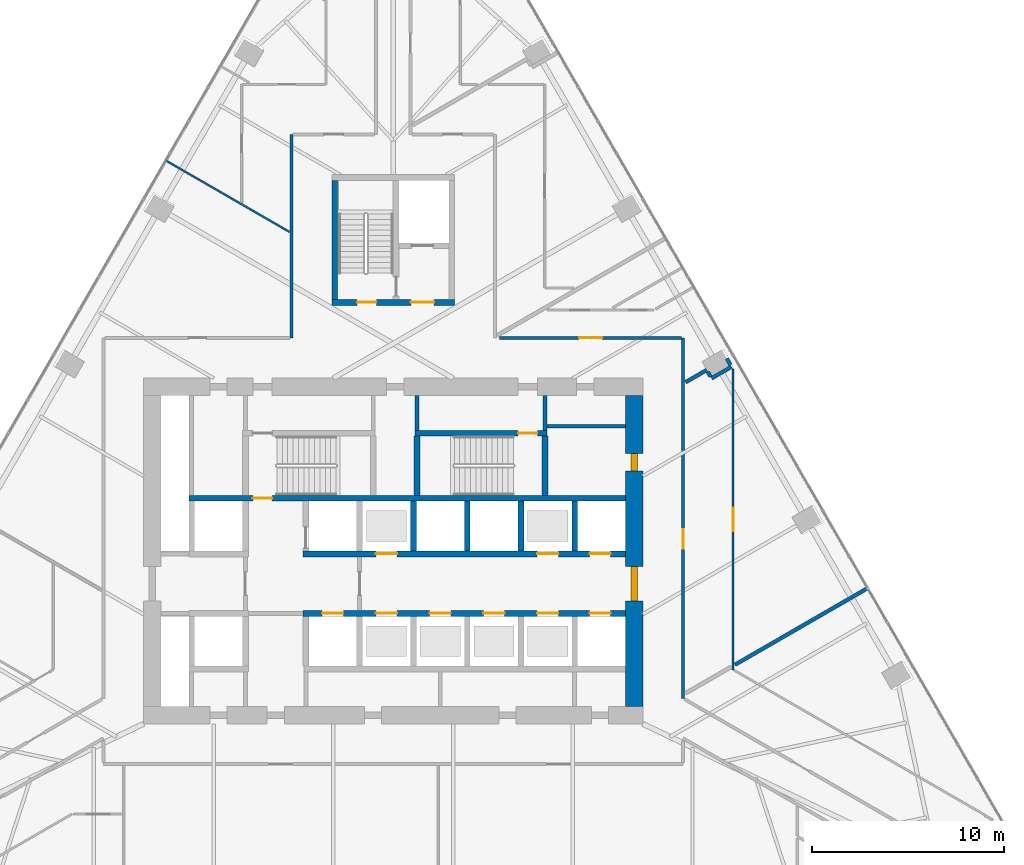
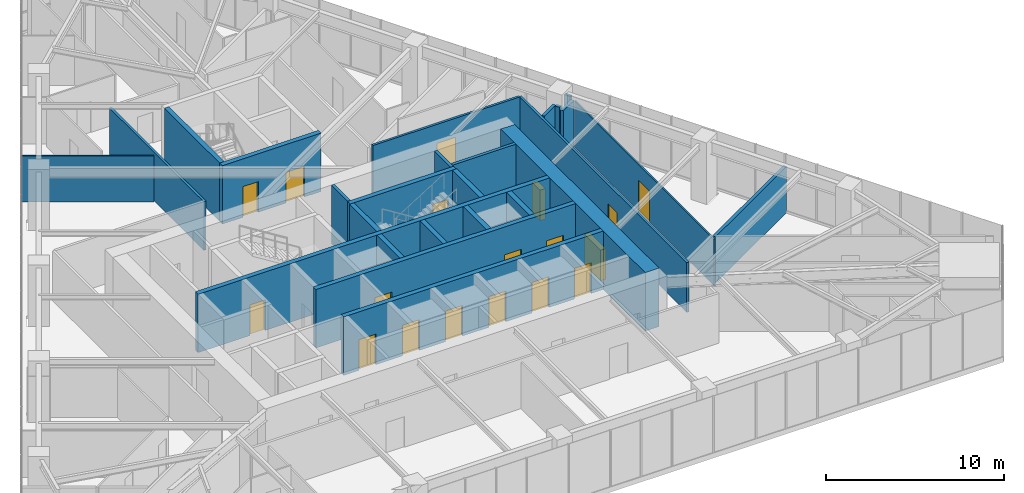
# One storey, part 15 of 19: 26 walls, 18 doors, 18 openings.
"""IFC4 building model written with IfcOpenShell, lengths in metres."""

from ifc_helpers import new_model, si_unit, direction, frame, frame_2d, origin, place, context, subcontext, project, spatial, rectangle, extrude, material, layer, layer_set, type_object, element, fill, save


model = new_model("IFC4")

# Units and contexts
model_context = context("Model", 3, precision=1e-05, world=origin(), true_north=direction((0.0, 1.0)))
body_context = subcontext(model_context, "Body", "Model", "MODEL_VIEW")
ifc_project = project(units=[si_unit("LENGTHUNIT", "METRE"), si_unit("AREAUNIT", "SQUARE_METRE"), si_unit("VOLUMEUNIT", "CUBIC_METRE"), si_unit("PLANEANGLEUNIT", "RADIAN"), si_unit("MASSUNIT", "GRAM", prefix="KILO")], contexts=[model_context])

# Site, building, storey
site_placement = place(None, origin())
site = spatial("IfcSite", under=ifc_project, at=site_placement, CompositionType="ELEMENT")
building_placement = place(site_placement, origin())
building = spatial("IfcBuilding", under=site, at=building_placement, Name="Firuza Gate Tower and Library", CompositionType="ELEMENT")
storey_placement = place(building_placement, frame((0.0, 0.0, 103.0)))
storey = spatial("IfcBuildingStorey", under=building, at=storey_placement, Name="L23", CompositionType="ELEMENT", Elevation=103.0)

# Walls
ifc_material_1 = material(Name="Plasterboard on steel studs", Category="steel")
ifc_layer_1 = layer(ifc_material_1, 0.199951171875)
ifc_layer_set_1 = layer_set([ifc_layer_1], Name="Core partition 200 EI 60")
wall_type_1 = type_object("IfcWallType", Name="Core partition 200 EI 60", PredefinedType="PARTITIONING", material=ifc_layer_set_1)
wall_1_placement = place(storey_placement, frame((83.0, 81.4951171875, 0.0), z_axis=(0.0, 0.0, 1.0), x_axis=(1.0, 0.0, 0.0)))
element("IfcWall", 1, at=wall_1_placement, inside=storey, type_object=wall_type_1, Name="Core partition L23 4", PredefinedType="PARTITIONING", context=body_context, shape_type="SweptSolid", body=[
    extrude(rectangle(XDim=4.10009765625, YDim=0.199951171875, at=frame_2d((2.050048828125, 0.0))), origin(), (0.0, 0.0, 1.0), 4.0),
])
for number, where, z_axis, x_axis, name in (
    (2, (76.239990234375, 81.280029296875, 0.0), (0.0, 0.0, 1.0), (0.0, 1.0, 0.0), "Core partition L23 13"),
    (3, (82.89990234375, 81.280029296875, 0.0), (0.0, 0.0, 1.0), (0.0, 1.0, 0.0), "Core partition L23 15"),
):
    element("IfcWall", number, at=place(storey_placement, frame(where, z_axis=z_axis, x_axis=x_axis)), inside=storey, type_object=wall_type_1, Name=name, PredefinedType="PARTITIONING", context=body_context, shape_type="SweptSolid", body=[
        extrude(rectangle(XDim=1.820068359375, YDim=0.199951171875, at=frame_2d((0.91015625, 0.0))), origin(), (0.0, 0.0, 1.0), 4.0),
    ])

# Wall, openings, doors
ifc_material_2 = material(Name="Concrete C80/95", Category="concrete")
ifc_layer_2 = layer(ifc_material_2, 0.300048828125)
ifc_layer_set_2 = layer_set([ifc_layer_2], Name="Core wall 300 C80/95")
wall_type_2 = type_object("IfcWallType", Name="Core wall 300 C80/95", PredefinedType="SHEAR", material=ifc_layer_set_2)
wall_2_placement = place(storey_placement, frame((70.300048828125, 71.75, 0.0), z_axis=(0.0, 0.0, 1.0), x_axis=(1.0, 0.0, 0.0)))
wall_2 = element("IfcWall", 4, at=wall_2_placement, inside=storey, type_object=wall_type_2, Name="Core wall L23 8", PredefinedType="SHEAR", context=body_context, shape_type="SweptSolid", body=[
    extrude(rectangle(XDim=16.800048828125, YDim=0.300048828125, at=frame_2d((8.39990234375, 0.0))), origin(), (0.0, 0.0, 1.0), 4.0),
])
opening_1_placement = place(wall_2_placement, frame((1.0, 0.0, 0.0)))
opening_1 = element("IfcOpeningElement", 5, at=opening_1_placement, cuts=wall_2, Name="Opening LD-FF1-L23", PredefinedType="OPENING", context=body_context, shape_type="SweptSolid", body=[
    extrude(rectangle(XDim=1.10009765625, YDim=2.10009765625, at=frame_2d((0.550048828125, 1.050048828125))), frame((0.0, 0.16015625, 0.0), z_axis=(0.0, -1.0, 0.0), x_axis=(1.0, 0.0, 0.0)), (0.0, 0.0, 1.0), 0.320068359375),
])
opening_2_placement = place(wall_2_placement, frame((3.800048828125, 0.0, 0.0)))
opening_2 = element("IfcOpeningElement", 6, at=opening_2_placement, cuts=wall_2, Name="Opening LD-LR1-L23", PredefinedType="OPENING", context=body_context, shape_type="SweptSolid", body=[
    extrude(rectangle(XDim=1.10009765625, YDim=2.10009765625, at=frame_2d((0.550048828125, 1.050048828125))), frame((0.0, 0.16015625, 0.0), z_axis=(0.0, -1.0, 0.0), x_axis=(1.0, 0.0, 0.0)), (0.0, 0.0, 1.0), 0.320068359375),
])
opening_3_placement = place(wall_2_placement, frame((6.60009765625, 0.0, 0.0)))
opening_3 = element("IfcOpeningElement", 7, at=opening_3_placement, cuts=wall_2, Name="Opening LD-LR2-L23", PredefinedType="OPENING", context=body_context, shape_type="SweptSolid", body=[
    extrude(rectangle(XDim=1.10009765625, YDim=2.10009765625, at=frame_2d((0.550048828125, 1.050048828125))), frame((0.0, 0.16015625, 0.0), z_axis=(0.0, -1.0, 0.0), x_axis=(1.0, 0.0, 0.0)), (0.0, 0.0, 1.0), 0.320068359375),
])
opening_4_placement = place(wall_2_placement, frame((9.39990234375, 0.0, 0.0)))
opening_4 = element("IfcOpeningElement", 8, at=opening_4_placement, cuts=wall_2, Name="Opening LD-LR3-L23", PredefinedType="OPENING", context=body_context, shape_type="SweptSolid", body=[
    extrude(rectangle(XDim=1.10009765625, YDim=2.10009765625, at=frame_2d((0.550048828125, 1.050048828125))), frame((0.0, 0.16015625, 0.0), z_axis=(0.0, -1.0, 0.0), x_axis=(1.0, 0.0, 0.0)), (0.0, 0.0, 1.0), 0.320068359375),
])
opening_5_placement = place(wall_2_placement, frame((12.199951171875, 0.0, 0.0)))
opening_5 = element("IfcOpeningElement", 9, at=opening_5_placement, cuts=wall_2, Name="Opening LD-LR5-L23", PredefinedType="OPENING", context=body_context, shape_type="SweptSolid", body=[
    extrude(rectangle(XDim=1.10009765625, YDim=2.10009765625, at=frame_2d((0.550048828125, 1.050048828125))), frame((0.0, 0.16015625, 0.0), z_axis=(0.0, -1.0, 0.0), x_axis=(1.0, 0.0, 0.0)), (0.0, 0.0, 1.0), 0.320068359375),
])
opening_6_placement = place(wall_2_placement, frame((14.925048828125, 0.0, 0.0)))
opening_6 = element("IfcOpeningElement", 10, at=opening_6_placement, cuts=wall_2, Name="Opening LD-LR7-L23", PredefinedType="OPENING", context=body_context, shape_type="SweptSolid", body=[
    extrude(rectangle(XDim=1.10009765625, YDim=2.10009765625, at=frame_2d((0.550048828125, 1.050048828125))), frame((0.0, 0.16015625, 0.0), z_axis=(0.0, -1.0, 0.0), x_axis=(1.0, 0.0, 0.0)), (0.0, 0.0, 1.0), 0.320068359375),
])
ifc_material_3 = material(Name="Stainless steel", Category="steel")
door_type_1 = type_object("IfcDoorType", Name="Lift landing door 1100x2100", OperationType="DOUBLE_DOOR_SLIDING", PredefinedType="DOOR", material=ifc_material_3)
door_1_placement = place(opening_1_placement, origin())
door_1 = element("IfcDoor", 11, at=door_1_placement, inside=storey, type_object=door_type_1, Name="Landing door FF1 L23", OperationType="DOUBLE_DOOR_SLIDING", OverallHeight=2.10009765625, OverallWidth=1.10009765625, PredefinedType="DOOR", context=body_context, shape_type="SweptSolid", body=[
    extrude(rectangle(XDim=1.10009765625, YDim=2.10009765625, at=frame_2d((0.550048828125, 1.050048828125))), frame((0.0, 0.02490234375, 0.0), z_axis=(0.0, -1.0, 0.0), x_axis=(1.0, 0.0, 0.0)), (0.0, 0.0, 1.0), 0.050048828125),
])
fill(opening_1, door_1)
door_2_placement = place(opening_2_placement, origin())
door_2 = element("IfcDoor", 12, at=door_2_placement, inside=storey, type_object=door_type_1, Name="Landing door LR1 L23", OperationType="DOUBLE_DOOR_SLIDING", OverallHeight=2.10009765625, OverallWidth=1.10009765625, PredefinedType="DOOR", context=body_context, shape_type="SweptSolid", body=[
    extrude(rectangle(XDim=1.10009765625, YDim=2.10009765625, at=frame_2d((0.550048828125, 1.050048828125))), frame((0.0, 0.02490234375, 0.0), z_axis=(0.0, -1.0, 0.0), x_axis=(1.0, 0.0, 0.0)), (0.0, 0.0, 1.0), 0.050048828125),
])
fill(opening_2, door_2)
door_3_placement = place(opening_3_placement, origin())
door_3 = element("IfcDoor", 13, at=door_3_placement, inside=storey, type_object=door_type_1, Name="Landing door LR2 L23", OperationType="DOUBLE_DOOR_SLIDING", OverallHeight=2.10009765625, OverallWidth=1.10009765625, PredefinedType="DOOR", context=body_context, shape_type="SweptSolid", body=[
    extrude(rectangle(XDim=1.10009765625, YDim=2.10009765625, at=frame_2d((0.550048828125, 1.050048828125))), frame((0.0, 0.02490234375, 0.0), z_axis=(0.0, -1.0, 0.0), x_axis=(1.0, 0.0, 0.0)), (0.0, 0.0, 1.0), 0.050048828125),
])
fill(opening_3, door_3)
door_4_placement = place(opening_4_placement, origin())
door_4 = element("IfcDoor", 14, at=door_4_placement, inside=storey, type_object=door_type_1, Name="Landing door LR3 L23", OperationType="DOUBLE_DOOR_SLIDING", OverallHeight=2.10009765625, OverallWidth=1.10009765625, PredefinedType="DOOR", context=body_context, shape_type="SweptSolid", body=[
    extrude(rectangle(XDim=1.10009765625, YDim=2.10009765625, at=frame_2d((0.550048828125, 1.050048828125))), frame((0.0, 0.02490234375, 0.0), z_axis=(0.0, -1.0, 0.0), x_axis=(1.0, 0.0, 0.0)), (0.0, 0.0, 1.0), 0.050048828125),
])
fill(opening_4, door_4)
door_5_placement = place(opening_5_placement, origin())
door_5 = element("IfcDoor", 15, at=door_5_placement, inside=storey, type_object=door_type_1, Name="Landing door LR5 L23", OperationType="DOUBLE_DOOR_SLIDING", OverallHeight=2.10009765625, OverallWidth=1.10009765625, PredefinedType="DOOR", context=body_context, shape_type="SweptSolid", body=[
    extrude(rectangle(XDim=1.10009765625, YDim=2.10009765625, at=frame_2d((0.550048828125, 1.050048828125))), frame((0.0, 0.02490234375, 0.0), z_axis=(0.0, -1.0, 0.0), x_axis=(1.0, 0.0, 0.0)), (0.0, 0.0, 1.0), 0.050048828125),
])
fill(opening_5, door_5)
door_6_placement = place(opening_6_placement, origin())
door_6 = element("IfcDoor", 16, at=door_6_placement, inside=storey, type_object=door_type_1, Name="Landing door LR7 L23", OperationType="DOUBLE_DOOR_SLIDING", OverallHeight=2.10009765625, OverallWidth=1.10009765625, PredefinedType="DOOR", context=body_context, shape_type="SweptSolid", body=[
    extrude(rectangle(XDim=1.10009765625, YDim=2.10009765625, at=frame_2d((0.550048828125, 1.050048828125))), frame((0.0, 0.02490234375, 0.0), z_axis=(0.0, -1.0, 0.0), x_axis=(1.0, 0.0, 0.0)), (0.0, 0.0, 1.0), 0.050048828125),
])
fill(opening_6, door_6)

wall_3_placement = place(storey_placement, frame((70.300048828125, 74.85009765625, 0.0), z_axis=(0.0, 0.0, 1.0), x_axis=(1.0, 0.0, 0.0)))
wall_3 = element("IfcWall", 17, at=wall_3_placement, inside=storey, type_object=wall_type_2, Name="Core wall L23 10", PredefinedType="SHEAR", context=body_context, shape_type="SweptSolid", body=[
    extrude(rectangle(XDim=16.800048828125, YDim=0.300048828125, at=frame_2d((8.39990234375, 0.0))), origin(), (0.0, 0.0, 1.0), 4.0),
])
opening_7_placement = place(wall_3_placement, frame((3.800048828125, 0.0, 0.0)))
opening_7 = element("IfcOpeningElement", 18, at=opening_7_placement, cuts=wall_3, Name="Opening LD-LR4-L23", PredefinedType="OPENING", context=body_context, shape_type="SweptSolid", body=[
    extrude(rectangle(XDim=1.10009765625, YDim=2.10009765625, at=frame_2d((0.550048828125, 1.050048828125))), frame((0.0, 0.16015625, 0.0), z_axis=(0.0, -1.0, 0.0), x_axis=(1.0, 0.0, 0.0)), (0.0, 0.0, 1.0), 0.320068359375),
])
opening_8_placement = place(wall_3_placement, frame((12.199951171875, 0.0, 0.0)))
opening_8 = element("IfcOpeningElement", 19, at=opening_8_placement, cuts=wall_3, Name="Opening LD-LR6-L23", PredefinedType="OPENING", context=body_context, shape_type="SweptSolid", body=[
    extrude(rectangle(XDim=1.10009765625, YDim=2.10009765625, at=frame_2d((0.550048828125, 1.050048828125))), frame((0.0, 0.16015625, 0.0), z_axis=(0.0, -1.0, 0.0), x_axis=(1.0, 0.0, 0.0)), (0.0, 0.0, 1.0), 0.320068359375),
])
opening_9_placement = place(wall_3_placement, frame((14.925048828125, 0.0, 0.0)))
opening_9 = element("IfcOpeningElement", 20, at=opening_9_placement, cuts=wall_3, Name="Opening LD-LR8-L23", PredefinedType="OPENING", context=body_context, shape_type="SweptSolid", body=[
    extrude(rectangle(XDim=1.10009765625, YDim=2.10009765625, at=frame_2d((0.550048828125, 1.050048828125))), frame((0.0, 0.16015625, 0.0), z_axis=(0.0, -1.0, 0.0), x_axis=(1.0, 0.0, 0.0)), (0.0, 0.0, 1.0), 0.320068359375),
])
door_7_placement = place(opening_7_placement, origin())
door_7 = element("IfcDoor", 21, at=door_7_placement, inside=storey, type_object=door_type_1, Name="Landing door LR4 L23", OperationType="DOUBLE_DOOR_SLIDING", OverallHeight=2.10009765625, OverallWidth=1.10009765625, PredefinedType="DOOR", context=body_context, shape_type="SweptSolid", body=[
    extrude(rectangle(XDim=1.10009765625, YDim=2.10009765625, at=frame_2d((0.550048828125, 1.050048828125))), frame((0.0, 0.02490234375, 0.0), z_axis=(0.0, -1.0, 0.0), x_axis=(1.0, 0.0, 0.0)), (0.0, 0.0, 1.0), 0.050048828125),
])
fill(opening_7, door_7)
door_8_placement = place(opening_8_placement, origin())
door_8 = element("IfcDoor", 22, at=door_8_placement, inside=storey, type_object=door_type_1, Name="Landing door LR6 L23", OperationType="DOUBLE_DOOR_SLIDING", OverallHeight=2.10009765625, OverallWidth=1.10009765625, PredefinedType="DOOR", context=body_context, shape_type="SweptSolid", body=[
    extrude(rectangle(XDim=1.10009765625, YDim=2.10009765625, at=frame_2d((0.550048828125, 1.050048828125))), frame((0.0, 0.02490234375, 0.0), z_axis=(0.0, -1.0, 0.0), x_axis=(1.0, 0.0, 0.0)), (0.0, 0.0, 1.0), 0.050048828125),
])
fill(opening_8, door_8)
door_9_placement = place(opening_9_placement, origin())
door_9 = element("IfcDoor", 23, at=door_9_placement, inside=storey, type_object=door_type_1, Name="Landing door LR8 L23", OperationType="DOUBLE_DOOR_SLIDING", OverallHeight=2.10009765625, OverallWidth=1.10009765625, PredefinedType="DOOR", context=body_context, shape_type="SweptSolid", body=[
    extrude(rectangle(XDim=1.10009765625, YDim=2.10009765625, at=frame_2d((0.550048828125, 1.050048828125))), frame((0.0, 0.02490234375, 0.0), z_axis=(0.0, -1.0, 0.0), x_axis=(1.0, 0.0, 0.0)), (0.0, 0.0, 1.0), 0.050048828125),
])
fill(opening_9, door_9)

# Walls
for number, where, z_axis, x_axis, name in (
    (24, (76.050048828125, 75.0, 0.0), (0.0, 0.0, 1.0), (0.0, 1.0, 0.0), "Core wall L23 20"),
    (25, (78.85009765625, 75.0, 0.0), (0.0, 0.0, 1.0), (0.0, 1.0, 0.0), "Core wall L23 22"),
    (26, (81.64990234375, 75.0, 0.0), (0.0, 0.0, 1.0), (0.0, 1.0, 0.0), "Core wall L23 24"),
    (27, (84.449951171875, 75.0, 0.0), (0.0, 0.0, 1.0), (0.0, 1.0, 0.0), "Core wall L23 26"),
):
    element("IfcWall", number, at=place(storey_placement, frame(where, z_axis=z_axis, x_axis=x_axis)), inside=storey, type_object=wall_type_2, Name=name, PredefinedType="SHEAR", context=body_context, shape_type="SweptSolid", body=[
        extrude(rectangle(XDim=2.60009765625, YDim=0.300048828125, at=frame_2d((1.300048828125, 0.0))), origin(), (0.0, 0.0, 1.0), 4.0),
    ])

# Wall, opening, door
wall_4_placement = place(storey_placement, frame((64.35009765625, 77.75, 0.0), z_axis=(0.0, 0.0, 1.0), x_axis=(1.0, 0.0, 0.0)))
wall_4 = element("IfcWall", 28, at=wall_4_placement, inside=storey, type_object=wall_type_2, Name="Core wall L23 27", PredefinedType="SHEAR", context=body_context, shape_type="SweptSolid", body=[
    extrude(rectangle(XDim=22.75, YDim=0.300048828125, at=frame_2d((11.375, 0.0))), origin(), (0.0, 0.0, 1.0), 4.0),
])
opening_10_placement = place(wall_4_placement, frame((3.344970703125, 0.0, 0.0)))
opening_10 = element("IfcOpeningElement", 29, at=opening_10_placement, cuts=wall_4, Name="Opening L23-K12", PredefinedType="OPENING", context=body_context, shape_type="SweptSolid", body=[
    extrude(rectangle(XDim=1.0, YDim=2.10009765625, at=frame_2d((0.5, 1.050048828125))), frame((0.0, 0.16015625, 0.0), z_axis=(0.0, -1.0, 0.0), x_axis=(1.0, 0.0, 0.0)), (0.0, 0.0, 1.0), 0.320068359375),
])
ifc_material_4 = material(Name="Steel", Category="steel")
door_type_2 = type_object("IfcDoorType", Name="Fire door 1000x2100 FD90", OperationType="NOTDEFINED", PredefinedType="DOOR", material=ifc_material_4)
door_10_placement = place(opening_10_placement, origin())
door_10 = element("IfcDoor", 30, at=door_10_placement, inside=storey, type_object=door_type_2, Name="Door L23-K12", OperationType="SINGLE_SWING_LEFT", OverallHeight=2.10009765625, OverallWidth=1.0, PredefinedType="DOOR", context=body_context, shape_type="SweptSolid", body=[
    extrude(rectangle(XDim=1.0, YDim=2.10009765625, at=frame_2d((0.5, 1.050048828125))), frame((0.0, 0.02490234375, 0.0), z_axis=(0.0, -1.0, 0.0), x_axis=(1.0, 0.0, 0.0)), (0.0, 0.0, 1.0), 0.050048828125),
])
fill(opening_10, door_10)

wall_5_placement = place(storey_placement, frame((76.139892578125, 81.1298828125, 0.0), z_axis=(0.0, 0.0, 1.0), x_axis=(1.0, 0.0, 0.0)))
wall_5 = element("IfcWall", 31, at=wall_5_placement, inside=storey, type_object=wall_type_2, Name="Core wall L23 29", PredefinedType="SHEAR", context=body_context, shape_type="SweptSolid", body=[
    extrude(rectangle(XDim=6.860107421875, YDim=0.300048828125, at=frame_2d((3.43017578125, 0.0))), origin(), (0.0, 0.0, 1.0), 4.0),
])
opening_11_placement = place(wall_5_placement, frame((5.364990234375, 0.0, 0.0)))
opening_11 = element("IfcOpeningElement", 32, at=opening_11_placement, cuts=wall_5, Name="Opening L23-K15", PredefinedType="OPENING", context=body_context, shape_type="SweptSolid", body=[
    extrude(rectangle(XDim=1.0, YDim=2.10009765625, at=frame_2d((0.5, 1.050048828125))), frame((0.0, 0.16015625, 0.0), z_axis=(0.0, -1.0, 0.0), x_axis=(1.0, 0.0, 0.0)), (0.0, 0.0, 1.0), 0.320068359375),
])
door_11_placement = place(opening_11_placement, origin())
door_11 = element("IfcDoor", 33, at=door_11_placement, inside=storey, type_object=door_type_2, Name="Door L23-K15", OperationType="SINGLE_SWING_RIGHT", OverallHeight=2.10009765625, OverallWidth=1.0, PredefinedType="DOOR", context=body_context, shape_type="SweptSolid", body=[
    extrude(rectangle(XDim=1.0, YDim=2.10009765625, at=frame_2d((0.5, 1.050048828125))), frame((0.0, 0.02490234375, 0.0), z_axis=(0.0, -1.0, 0.0), x_axis=(1.0, 0.0, 0.0)), (0.0, 0.0, 1.0), 0.050048828125),
])
fill(opening_11, door_11)

# Walls
for number, where, z_axis, x_axis, name in (
    (34, (76.239990234375, 77.89990234375, 0.0), (0.0, 0.0, 1.0), (0.0, 1.0, 0.0), "Core wall L23 32"),
    (35, (82.89990234375, 77.89990234375, 0.0), (0.0, 0.0, 1.0), (0.0, 1.0, 0.0), "Core wall L23 33"),
):
    element("IfcWall", number, at=place(storey_placement, frame(where, z_axis=z_axis, x_axis=x_axis)), inside=storey, type_object=wall_type_2, Name=name, PredefinedType="SHEAR", context=body_context, shape_type="SweptSolid", body=[
        extrude(rectangle(XDim=3.080078125, YDim=0.300048828125, at=frame_2d((1.5400390625, 0.0))), origin(), (0.0, 0.0, 1.0), 4.0),
    ])

# Wall, openings, doors
wall_6_placement = place(storey_placement, frame((71.800048828125, 87.949951171875, 0.0), z_axis=(0.0, 0.0, 1.0), x_axis=(1.0, 0.0, 0.0)))
wall_6 = element("IfcWall", 36, at=wall_6_placement, inside=storey, type_object=wall_type_2, Name="Core wall L23 34", PredefinedType="SHEAR", context=body_context, shape_type="SweptSolid", body=[
    extrude(rectangle(XDim=6.39990234375, YDim=0.300048828125, at=frame_2d((3.199951171875, 0.0))), origin(), (0.0, 0.0, 1.0), 4.0),
])
opening_12_placement = place(wall_6_placement, frame((1.324951171875, 0.0, 0.0)))
opening_12 = element("IfcOpeningElement", 37, at=opening_12_placement, cuts=wall_6, Name="Opening L23-K17", PredefinedType="OPENING", context=body_context, shape_type="SweptSolid", body=[
    extrude(rectangle(XDim=1.0, YDim=2.10009765625, at=frame_2d((0.5, 1.050048828125))), frame((0.0, 0.16015625, 0.0), z_axis=(0.0, -1.0, 0.0), x_axis=(1.0, 0.0, 0.0)), (0.0, 0.0, 1.0), 0.320068359375),
])
opening_13_placement = place(wall_6_placement, frame((4.125, 0.0, 0.0)))
opening_13 = element("IfcOpeningElement", 38, at=opening_13_placement, cuts=wall_6, Name="Opening L23-K19", PredefinedType="OPENING", context=body_context, shape_type="SweptSolid", body=[
    extrude(rectangle(XDim=1.199951171875, YDim=2.10009765625, at=frame_2d((0.60009765625, 1.050048828125))), frame((0.0, 0.16015625, 0.0), z_axis=(0.0, -1.0, 0.0), x_axis=(1.0, 0.0, 0.0)), (0.0, 0.0, 1.0), 0.320068359375),
])
door_12_placement = place(opening_12_placement, origin())
door_12 = element("IfcDoor", 39, at=door_12_placement, inside=storey, type_object=door_type_2, Name="Door L23-K17", OperationType="SINGLE_SWING_RIGHT", OverallHeight=2.10009765625, OverallWidth=1.0, PredefinedType="DOOR", context=body_context, shape_type="SweptSolid", body=[
    extrude(rectangle(XDim=1.0, YDim=2.10009765625, at=frame_2d((0.5, 1.050048828125))), frame((0.0, 0.02490234375, 0.0), z_axis=(0.0, -1.0, 0.0), x_axis=(1.0, 0.0, 0.0)), (0.0, 0.0, 1.0), 0.050048828125),
])
fill(opening_12, door_12)
ifc_material_5 = material(Name="Steel", Category="steel")
door_type_3 = type_object("IfcDoorType", Name="Fire door 1200x2100 FD30S", OperationType="NOTDEFINED", PredefinedType="DOOR", material=ifc_material_5)
door_13_placement = place(opening_13_placement, origin())
door_13 = element("IfcDoor", 40, at=door_13_placement, inside=storey, type_object=door_type_3, Name="Door L23-K19", OperationType="SINGLE_SWING_RIGHT", OverallHeight=2.10009765625, OverallWidth=1.199951171875, PredefinedType="DOOR", context=body_context, shape_type="SweptSolid", body=[
    extrude(rectangle(XDim=1.199951171875, YDim=2.10009765625, at=frame_2d((0.60009765625, 1.050048828125))), frame((0.0, 0.02490234375, 0.0), z_axis=(0.0, -1.0, 0.0), x_axis=(1.0, 0.0, 0.0)), (0.0, 0.0, 1.0), 0.050048828125),
])
fill(opening_13, door_13)

# Wall
wall_7_placement = place(storey_placement, frame((71.949951171875, 88.10009765625, 0.0), z_axis=(0.0, 0.0, 1.0), x_axis=(0.0, 1.0, 0.0)))
element("IfcWall", 41, at=wall_7_placement, inside=storey, type_object=wall_type_2, Name="Core wall L23 36", PredefinedType="SHEAR", context=body_context, shape_type="SweptSolid", body=[
    extrude(rectangle(XDim=6.199951171875, YDim=0.300048828125, at=frame_2d((3.10009765625, 0.0))), origin(), (0.0, 0.0, 1.0), 4.0),
])

# Wall, openings, doors
ifc_material_6 = material(Name="Concrete C80/95", Category="concrete")
ifc_layer_3 = layer(ifc_material_6, 0.89990234375)
ifc_layer_set_3 = layer_set([ifc_layer_3], Name="Core wall 900 C80/95")
wall_type_3 = type_object("IfcWallType", Name="Core wall 900 C80/95", PredefinedType="SHEAR", material=ifc_layer_set_3)
wall_8_placement = place(storey_placement, frame((87.550048828125, 66.89990234375, 0.0), z_axis=(0.0, 0.0, 1.0), x_axis=(0.0, 1.0, 0.0)))
wall_8 = element("IfcWall", 42, at=wall_8_placement, inside=storey, type_object=wall_type_3, Name="Core wall L23 4", PredefinedType="SHEAR", context=body_context, shape_type="SweptSolid", body=[
    extrude(rectangle(XDim=16.2001953125, YDim=0.89990234375, at=frame_2d((8.10009765625, 0.0))), origin(), (0.0, 0.0, 1.0), 4.0),
])
opening_14_placement = place(wall_8_placement, frame((5.5, 0.0, 0.0)))
opening_14 = element("IfcOpeningElement", 43, at=opening_14_placement, cuts=wall_8, Name="Opening L23-K23", PredefinedType="OPENING", context=body_context, shape_type="SweptSolid", body=[
    extrude(rectangle(XDim=1.800048828125, YDim=2.10009765625, at=frame_2d((0.89990234375, 1.050048828125))), frame((0.0, 0.4599609375, 0.0), z_axis=(0.0, -1.0, 0.0), x_axis=(1.0, 0.0, 0.0)), (0.0, 0.0, 1.0), 0.919921875),
])
opening_15_placement = place(wall_8_placement, frame((12.2724609375, 0.0, 0.0)))
opening_15 = element("IfcOpeningElement", 44, at=opening_15_placement, cuts=wall_8, Name="Opening L23-K31", PredefinedType="OPENING", context=body_context, shape_type="SweptSolid", body=[
    extrude(rectangle(XDim=0.89990234375, YDim=2.10009765625, at=frame_2d((0.449951171875, 1.050048828125))), frame((0.0, 0.4599609375, 0.0), z_axis=(0.0, -1.0, 0.0), x_axis=(1.0, 0.0, 0.0)), (0.0, 0.0, 1.0), 0.919921875),
])
ifc_material_7 = material(Name="Steel", Category="steel")
door_type_4 = type_object("IfcDoorType", Name="Fire door 1800x2100 FD30S", OperationType="NOTDEFINED", PredefinedType="DOOR", material=ifc_material_7)
door_14_placement = place(opening_14_placement, origin())
door_14 = element("IfcDoor", 45, at=door_14_placement, inside=storey, type_object=door_type_4, Name="Door L23-K23", OperationType="SINGLE_SWING_RIGHT", OverallHeight=2.10009765625, OverallWidth=1.800048828125, PredefinedType="DOOR", context=body_context, shape_type="SweptSolid", body=[
    extrude(rectangle(XDim=1.800048828125, YDim=2.10009765625, at=frame_2d((0.89990234375, 1.050048828125))), frame((0.0, 0.169921875, 0.0), z_axis=(0.0, -1.0, 0.0), x_axis=(1.0, 0.0, 0.0)), (0.0, 0.0, 1.0), 0.33984375),
])
fill(opening_14, door_14)
ifc_material_8 = material(Name="Steel", Category="steel")
door_type_5 = type_object("IfcDoorType", Name="Fire door 900x2100 FD30S", OperationType="NOTDEFINED", PredefinedType="DOOR", material=ifc_material_8)
door_15_placement = place(opening_15_placement, origin())
door_15 = element("IfcDoor", 46, at=door_15_placement, inside=storey, type_object=door_type_5, Name="Door L23-K31", OperationType="SINGLE_SWING_RIGHT", OverallHeight=2.10009765625, OverallWidth=0.89990234375, PredefinedType="DOOR", context=body_context, shape_type="SweptSolid", body=[
    extrude(rectangle(XDim=0.89990234375, YDim=2.10009765625, at=frame_2d((0.449951171875, 1.050048828125))), frame((0.0, 0.169921875, 0.0), z_axis=(0.0, -1.0, 0.0), x_axis=(1.0, 0.0, 0.0)), (0.0, 0.0, 1.0), 0.33984375),
])
fill(opening_15, door_15)

# Wall, opening, door
ifc_material_9 = material(Name="Gypsum board partition")
ifc_layer_4 = layer(ifc_material_9, 0.14990234375)
ifc_layer_set_4 = layer_set([ifc_layer_4], Name="Corridor wall 150 double board on steel studs")
wall_type_4 = type_object("IfcWallType", Name="Corridor wall 150 double board on steel studs", PredefinedType="PARTITIONING", material=ifc_layer_set_4)
wall_9_placement = place(storey_placement, frame((80.530029296875, 86.10009765625, 0.0), z_axis=(0.0, 0.0, 1.0), x_axis=(1.0, 0.0, 0.0)))
wall_9 = element("IfcWall", 47, at=wall_9_placement, inside=storey, type_object=wall_type_4, Name="f:L23:w003", PredefinedType="PARTITIONING", context=body_context, shape_type="SweptSolid", body=[
    extrude(rectangle(XDim=9.494384765625, YDim=0.14990234375, at=frame_2d((4.7470703125, 0.0))), origin(), (0.0, 0.0, 1.0), 3.39990234375),
])
opening_16_placement = place(wall_9_placement, frame((4.147216796875, 0.0, 0.0)))
opening_16 = element("IfcOpeningElement", 48, at=opening_16_placement, cuts=wall_9, Name="Opening L23-05", PredefinedType="OPENING", context=body_context, shape_type="SweptSolid", body=[
    extrude(rectangle(XDim=1.199951171875, YDim=2.10009765625, at=frame_2d((0.60009765625, 1.050048828125))), frame((0.0, 0.0849609375, 0.0), z_axis=(0.0, -1.0, 0.0), x_axis=(1.0, 0.0, 0.0)), (0.0, 0.0, 1.0), 0.169921875),
])
ifc_material_10 = material(Name="Steel door and timber leaf", Category="steel")
door_type_6 = type_object("IfcDoorType", Name="Fire door 1200 x 2100 steel frame, double leaf", OperationType="NOTDEFINED", PredefinedType="DOOR", material=ifc_material_10)
door_16_placement = place(opening_16_placement, origin())
door_16 = element("IfcDoor", 49, at=door_16_placement, inside=storey, type_object=door_type_6, Name="f:L23:d005", OperationType="DOUBLE_DOOR_SINGLE_SWING", OverallHeight=2.10009765625, OverallWidth=1.199951171875, PredefinedType="DOOR", context=body_context, shape_type="SweptSolid", body=[
    extrude(rectangle(XDim=1.199951171875, YDim=2.10009765625, at=frame_2d((0.60009765625, 1.050048828125))), frame((0.0, 0.02490234375, 0.0), z_axis=(0.0, -1.0, 0.0), x_axis=(1.0, 0.0, 0.0)), (0.0, 0.0, 1.0), 0.050048828125),
])
fill(opening_16, door_16)

wall_10_placement = place(storey_placement, frame((90.10009765625, 86.099609375, 0.0), z_axis=(0.0, 0.0, 1.0), x_axis=(0.0, -1.0, 0.0)))
wall_10 = element("IfcWall", 50, at=wall_10_placement, inside=storey, type_object=wall_type_4, Name="f:L23:w033", PredefinedType="PARTITIONING", context=body_context, shape_type="SweptSolid", body=[
    extrude(rectangle(XDim=18.7783203125, YDim=0.14990234375, at=frame_2d((9.38916015625, 0.0))), origin(), (0.0, 0.0, 1.0), 3.39990234375),
])
opening_17_placement = place(wall_10_placement, frame((9.97802734375, 0.0, 0.0)))
opening_17 = element("IfcOpeningElement", 51, at=opening_17_placement, cuts=wall_10, Name="Opening L23-17", PredefinedType="OPENING", context=body_context, shape_type="SweptSolid", body=[
    extrude(rectangle(XDim=1.0, YDim=2.10009765625, at=frame_2d((0.5, 1.050048828125))), frame((0.0, 0.0849609375, 0.0), z_axis=(0.0, -1.0, 0.0), x_axis=(1.0, 0.0, 0.0)), (0.0, 0.0, 1.0), 0.169921875),
])
ifc_material_11 = material(Name="Steel door and timber leaf", Category="steel")
door_type_7 = type_object("IfcDoorType", Name="Fire door 1000 x 2100 steel frame, timber leaf", OperationType="NOTDEFINED", PredefinedType="DOOR", material=ifc_material_11)
door_17_placement = place(opening_17_placement, origin())
door_17 = element("IfcDoor", 52, at=door_17_placement, inside=storey, type_object=door_type_7, Name="f:L23:d017", OperationType="SINGLE_SWING_LEFT", OverallHeight=2.10009765625, OverallWidth=1.0, PredefinedType="DOOR", context=body_context, shape_type="SweptSolid", body=[
    extrude(rectangle(XDim=1.0, YDim=2.10009765625, at=frame_2d((0.5, 1.050048828125))), frame((0.0, 0.02490234375, 0.0), z_axis=(0.0, -1.0, 0.0), x_axis=(1.0, 0.0, 0.0)), (0.0, 0.0, 1.0), 0.050048828125),
])
fill(opening_17, door_17)

# Walls
wall_11_placement = place(storey_placement, frame((69.699951171875, 86.10009765625, 0.0), z_axis=(0.0, 0.0, 1.0), x_axis=(0.0, 1.0, 0.0)))
element("IfcWall", 53, at=wall_11_placement, inside=storey, type_object=wall_type_4, Name="f:L23:w044", PredefinedType="PARTITIONING", context=body_context, shape_type="SweptSolid", body=[
    extrude(rectangle(XDim=10.599365234375, YDim=0.14990234375, at=frame_2d((5.2998046875, 0.0))), origin(), (0.0, 0.0, 1.0), 3.322021484375),
])
ifc_material_12 = material(Name="Gypsum board partition")
ifc_layer_5 = layer(ifc_material_12, 0.199951171875)
ifc_layer_set_5 = layer_set([ifc_layer_5], Name="Demising wall 200 acoustic double stud")
wall_type_5 = type_object("IfcWallType", Name="Demising wall 200 acoustic double stud", PredefinedType="PARTITIONING", material=ifc_layer_set_5)
wall_12_placement = place(storey_placement, frame((91.582763671875, 83.996826171875, 0.0), z_axis=(0.0, 0.0, 1.0), x_axis=(0.866066905393, 0.499928110214, 0.0)))
element("IfcWall", 54, at=wall_12_placement, inside=storey, type_object=wall_type_5, Name="f:L23:w015", PredefinedType="PARTITIONING", context=body_context, shape_type="SweptSolid", body=[
    extrude(rectangle(XDim=1.198974609375, YDim=0.199951171875, at=frame_2d((0.599609375, 0.0))), origin(), (0.0, 0.0, 1.0), 3.1650390625),
])
wall_13_placement = place(storey_placement, frame((90.22705078125, 83.79150390625, 0.0), z_axis=(0.0, 0.0, 1.0), x_axis=(0.866067665301, 0.499926793761, 0.0)))
element("IfcWall", 55, at=wall_13_placement, inside=storey, type_object=wall_type_5, Name="f:L23:w016", PredefinedType="PARTITIONING", context=body_context, shape_type="SweptSolid", body=[
    extrude(rectangle(XDim=1.275634765625, YDim=0.199951171875, at=frame_2d((0.6376953125, 0.0))), origin(), (0.0, 0.0, 1.0), 3.39990234375),
])
wall_14_placement = place(storey_placement, frame((92.571533203125, 84.68359375, 0.0), z_axis=(0.0, 0.0, 1.0), x_axis=(-0.500216468111, 0.865900389786, 0.0)))
element("IfcWall", 56, at=wall_14_placement, inside=storey, type_object=wall_type_5, Name="f:L23:w050", PredefinedType="PARTITIONING", context=body_context, shape_type="SweptSolid", body=[
    extrude(rectangle(XDim=0.399169921875, YDim=0.199951171875, at=frame_2d((0.19970703125, 0.0))), origin(), (0.0, 0.0, 1.0), 3.39990234375),
])
wall_15_placement = place(storey_placement, frame((91.5322265625, 84.08349609375, 0.0), z_axis=(0.0, 0.0, 1.0), x_axis=(-0.49965177357, 0.866226359082, 0.0)))
element("IfcWall", 57, at=wall_15_placement, inside=storey, type_object=wall_type_5, Name="f:L23:w051", PredefinedType="PARTITIONING", context=body_context, shape_type="SweptSolid", body=[
    extrude(rectangle(XDim=0.299072265625, YDim=0.199951171875, at=frame_2d((0.1494140625, 0.0))), origin(), (0.0, 0.0, 1.0), 3.39990234375),
])
wall_16_placement = place(storey_placement, frame((92.800048828125, 69.075439453125, 0.0), z_axis=(0.0, 0.0, 1.0), x_axis=(0.866027879581, 0.49999571177, 0.0)))
element("IfcWall", 58, at=wall_16_placement, inside=storey, type_object=wall_type_5, Name="f:L23:w070", PredefinedType="PARTITIONING", context=body_context, shape_type="SweptSolid", body=[
    extrude(rectangle(XDim=7.9658203125, YDim=0.199951171875, at=frame_2d((3.98291015625, 0.0))), origin(), (0.0, 0.0, 1.0), 3.1650390625),
])

# Wall, opening, door
ifc_material_13 = material(Name="Gypsum board partition")
ifc_layer_6 = layer(ifc_material_13, 0.10009765625)
ifc_layer_set_6 = layer_set([ifc_layer_6], Name="Partition 100 gypsum board on steel studs")
wall_type_6 = type_object("IfcWallType", Name="Partition 100 gypsum board on steel studs", PredefinedType="PARTITIONING", material=ifc_layer_set_6)
wall_17_placement = place(storey_placement, frame((92.699951171875, 68.82275390625, 0.0), z_axis=(0.0, 0.0, 1.0), x_axis=(0.0, 1.0, 0.0)))
wall_17 = element("IfcWall", 59, at=wall_17_placement, inside=storey, type_object=wall_type_6, Name="f:L23:w031", PredefinedType="PARTITIONING", context=body_context, shape_type="SweptSolid", body=[
    extrude(rectangle(XDim=15.6376953125, YDim=0.10009765625, at=frame_2d((7.81884765625, 0.0))), origin(), (0.0, 0.0, 1.0), 3.1650390625),
])
opening_18_placement = place(wall_17_placement, frame((7.218994140625, 0.0, 0.0)))
opening_18 = element("IfcOpeningElement", 60, at=opening_18_placement, cuts=wall_17, Name="Opening L23-16", PredefinedType="OPENING", context=body_context, shape_type="SweptSolid", body=[
    extrude(rectangle(XDim=1.199951171875, YDim=2.10009765625, at=frame_2d((0.60009765625, 1.050048828125))), frame((0.0, 0.06005859375, 0.0), z_axis=(0.0, -1.0, 0.0), x_axis=(1.0, 0.0, 0.0)), (0.0, 0.0, 1.0), 0.1201171875),
])
ifc_material_14 = material(Name="Glazed aluminium door", Category="aluminium")
door_type_8 = type_object("IfcDoorType", Name="Door 1200 x 2100 glazed double leaf", OperationType="NOTDEFINED", PredefinedType="DOOR", material=ifc_material_14)
door_18_placement = place(opening_18_placement, origin())
door_18 = element("IfcDoor", 61, at=door_18_placement, inside=storey, type_object=door_type_8, Name="f:L23:d016", OperationType="DOUBLE_DOOR_SINGLE_SWING", OverallHeight=2.10009765625, OverallWidth=1.199951171875, PredefinedType="DOOR", context=body_context, shape_type="SweptSolid", body=[
    extrude(rectangle(XDim=1.199951171875, YDim=2.10009765625, at=frame_2d((0.60009765625, 1.050048828125))), frame((0.0, 0.02490234375, 0.0), z_axis=(0.0, -1.0, 0.0), x_axis=(1.0, 0.0, 0.0)), (0.0, 0.0, 1.0), 0.050048828125),
])
fill(opening_18, door_18)

# Wall
wall_18_placement = place(storey_placement, frame((69.59912109375, 91.6201171875, 0.0), z_axis=(0.0, 0.0, 1.0), x_axis=(-0.866018724091, 0.500011569389, 0.0)))
element("IfcWall", 62, at=wall_18_placement, inside=storey, type_object=wall_type_6, Name="f:L23:w056", PredefinedType="PARTITIONING", context=body_context, shape_type="SweptSolid", body=[
    extrude(rectangle(XDim=7.431396484375, YDim=0.10009765625, at=frame_2d((3.7158203125, 0.0))), origin(), (0.0, 0.0, 1.0), 3.1650390625),
])

save(model, "model.ifc")
